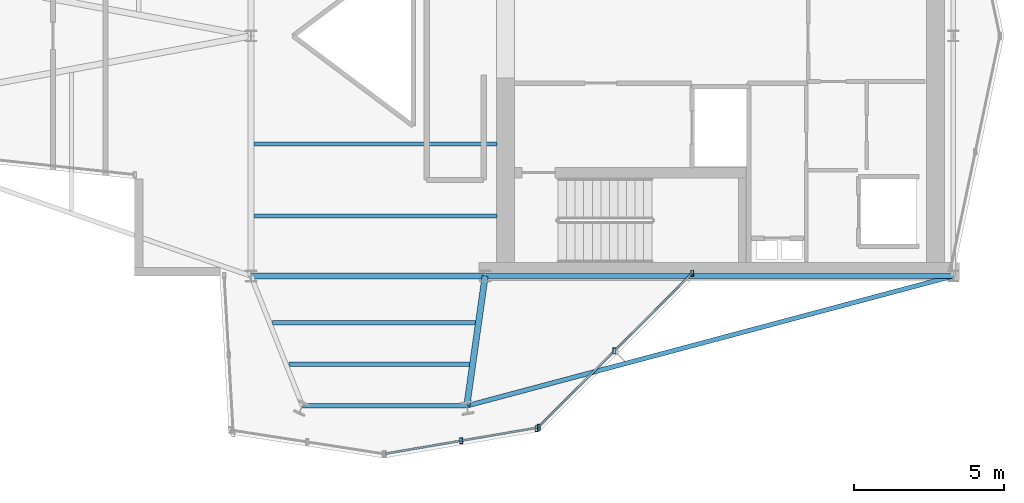
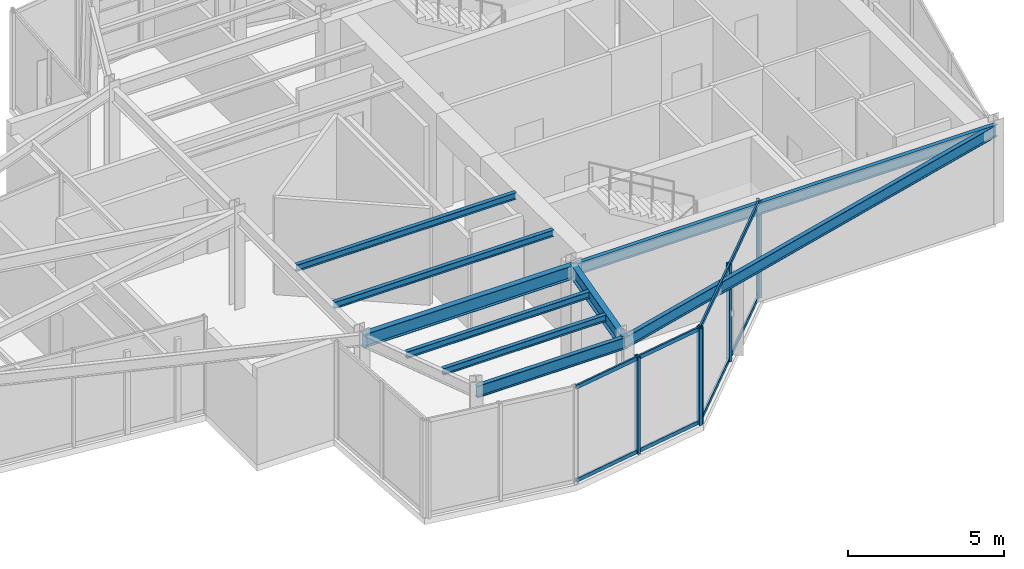
# One storey, part 3 of 13: 9 beams, 9 members, 2 elements without a shape of their own.
"""IFC4 building model written with IfcOpenShell, lengths in metres."""

from ifc_helpers import new_model, si_unit, direction, frame, origin, origin_2d, place, context, subcontext, project, spatial, hollow_rectangle, i_section, extrude, material, layer, layer_set, material_profile, profile_set, type_object, element, aggregate, save


model = new_model("IFC4")

# Units and contexts
model_context = context("Model", 3, precision=1e-05, world=origin(), true_north=direction((0.0, 1.0)))
body_context = subcontext(model_context, "Body", "Model", "MODEL_VIEW")
ifc_project = project(units=[si_unit("LENGTHUNIT", "METRE"), si_unit("AREAUNIT", "SQUARE_METRE"), si_unit("VOLUMEUNIT", "CUBIC_METRE"), si_unit("PLANEANGLEUNIT", "RADIAN"), si_unit("MASSUNIT", "GRAM", prefix="KILO")], contexts=[model_context])

# Site, building, storey
site_placement = place(None, origin())
site = spatial("IfcSite", under=ifc_project, at=site_placement, CompositionType="ELEMENT")
building_placement = place(site_placement, origin())
building = spatial("IfcBuilding", under=site, at=building_placement, Name="Veymaron Broadcast Tower", CompositionType="ELEMENT")
storey_placement = place(building_placement, frame((0.0, 0.0, 311.39990234375)))
storey = spatial("IfcBuildingStorey", under=building, at=storey_placement, Name="L73", CompositionType="ELEMENT", Elevation=311.39990234375)

# Beams
ifc_material_1 = material(Name="Structural steel ASTM A992 Gr 50", Category="steel")
ifc_material_profile_1 = material_profile(ifc_material_1, i_section(OverallWidth=0.208984375, OverallDepth=0.528076171875, WebThickness=0.009521484375, FlangeThickness=0.01318359375, at=origin_2d()), Name="W530X82")
ifc_profile_set_1 = profile_set([ifc_material_profile_1], Name="Structural steel ASTM A992 Gr 50")
beam_type_1 = type_object("IfcBeamType", Name="BM-FG4", PredefinedType="BEAM", material=ifc_profile_set_1)
beam_1_placement = place(storey_placement, frame((31.199951171875, 16.0, 3.51611328125), z_axis=(1.0, 0.0, 0.0), x_axis=(0.0, 1.0, 0.0)))
element("IfcBeam", 1, at=beam_1_placement, inside=storey, type_object=beam_type_1, Name="L73 primary structural floor girder", PredefinedType="BEAM", context=body_context, shape_type="SweptSolid", body=[
    extrude(i_section(OverallWidth=0.208984375, OverallDepth=0.528076171875, WebThickness=0.009521484375, FlangeThickness=0.01318359375, at=origin_2d()), origin(), (0.0, 0.0, 1.0), 7.800048828125),
])
beam_2_placement = place(storey_placement, frame((39.0, 16.0, 3.51611328125), z_axis=(-0.140029301726, -0.990147360072, 0.0), x_axis=(0.990147360072, -0.140029301726, 0.0)))
element("IfcBeam", 2, at=beam_2_placement, inside=storey, type_object=beam_type_1, Name="L73 primary structural floor girder", PredefinedType="BEAM", context=body_context, shape_type="SweptSolid", body=[
    extrude(i_section(OverallWidth=0.208984375, OverallDepth=0.528076171875, WebThickness=0.009521484375, FlangeThickness=0.01318359375, at=origin_2d()), origin(), (0.0, 0.0, 1.0), 4.370849609375),
])
ifc_material_profile_2 = material_profile(ifc_material_1, i_section(OverallWidth=0.14599609375, OverallDepth=0.258056640625, WebThickness=0.006103515625, FlangeThickness=0.009033203125, at=origin_2d()), Name="W250X33")
ifc_profile_set_2 = profile_set([ifc_material_profile_2], Name="Structural steel ASTM A992 Gr 50")
beam_type_2 = type_object("IfcBeamType", Name="BM-JS4", PredefinedType="JOIST", material=ifc_profile_set_2)
beam_3_placement = place(storey_placement, frame((31.9169921875, 14.44189453125, 3.651123046875), z_axis=(1.0, 0.0, 0.0), x_axis=(0.0, 1.0, 0.0)))
element("IfcBeam", 3, at=beam_3_placement, inside=storey, type_object=beam_type_2, Name="L73 Arm-C secondary joist 1", PredefinedType="JOIST", context=body_context, shape_type="SweptSolid", body=[
    extrude(i_section(OverallWidth=0.14599609375, OverallDepth=0.258056640625, WebThickness=0.006103515625, FlangeThickness=0.009033203125, at=origin_2d()), origin(), (0.0, 0.0, 1.0), 6.7626953125),
])
beam_4_placement = place(storey_placement, frame((32.465087890625, 13.056884765625, 3.651123046875), z_axis=(1.0, 0.0, 0.0), x_axis=(0.0, 1.0, 0.0)))
element("IfcBeam", 4, at=beam_4_placement, inside=storey, type_object=beam_type_2, Name="L73 Arm-C secondary joist 2", PredefinedType="JOIST", context=body_context, shape_type="SweptSolid", body=[
    extrude(i_section(OverallWidth=0.14599609375, OverallDepth=0.258056640625, WebThickness=0.006103515625, FlangeThickness=0.009033203125, at=origin_2d()), origin(), (0.0, 0.0, 1.0), 6.018798828125),
])
for number, where, z_axis, x_axis, name in (
    (5, (31.300048828125, 18.0, 3.651123046875), (1.0, 0.0, 0.0), (0.0, 1.0, 0.0), "L73 Hub secondary joist 1"),
    (6, (31.300048828125, 20.39990234375, 3.651123046875), (1.0, 0.0, 0.0), (0.0, 1.0, 0.0), "L73 Hub secondary joist 2"),
):
    element("IfcBeam", number, at=place(storey_placement, frame(where, z_axis=z_axis, x_axis=x_axis)), inside=storey, type_object=beam_type_2, Name=name, PredefinedType="JOIST", context=body_context, shape_type="SweptSolid", body=[
        extrude(i_section(OverallWidth=0.14599609375, OverallDepth=0.258056640625, WebThickness=0.006103515625, FlangeThickness=0.009033203125, at=origin_2d()), origin(), (0.0, 0.0, 1.0), 8.099853515625),
    ])
ifc_material_profile_3 = material_profile(ifc_material_1, i_section(OverallWidth=0.154052734375, OverallDepth=0.458984375, WebThickness=0.009033203125, FlangeThickness=0.015380859375, at=origin_2d()), Name="W460X68")
ifc_profile_set_3 = profile_set([ifc_material_profile_3], Name="Structural steel ASTM A992 Gr 50")
beam_type_3 = type_object("IfcBeamType", Name="BM-SP2", PredefinedType="SPANDREL", material=ifc_profile_set_3)
beam_5_placement = place(storey_placement, frame((39.0, 16.0, 3.550537109375), z_axis=(1.0, 0.0, 0.0), x_axis=(0.0, 1.0, 0.0)))
element("IfcBeam", 7, at=beam_5_placement, inside=storey, type_object=beam_type_3, Name="L73 primary structural floor girder", PredefinedType="SPANDREL", context=body_context, shape_type="SweptSolid", body=[
    extrude(i_section(OverallWidth=0.154052734375, OverallDepth=0.458984375, WebThickness=0.009033203125, FlangeThickness=0.015380859375, at=origin_2d()), origin(), (0.0, 0.0, 1.0), 15.60009765625),
])
beam_6_placement = place(storey_placement, frame((54.60009765625, 16.0, 3.550537109375), z_axis=(-0.966166081306, -0.257920730718, 0.0), x_axis=(0.257920730718, -0.966166081306, 0.0)))
element("IfcBeam", 8, at=beam_6_placement, inside=storey, type_object=beam_type_3, Name="L73 primary structural floor girder", PredefinedType="SPANDREL", context=body_context, shape_type="SweptSolid", body=[
    extrude(i_section(OverallWidth=0.154052734375, OverallDepth=0.458984375, WebThickness=0.009033203125, FlangeThickness=0.015380859375, at=origin_2d()), origin(), (0.0, 0.0, 1.0), 16.77978515625),
])
beam_7_placement = place(storey_placement, frame((32.91357421875, 11.672119140625, 3.550537109375), z_axis=(1.0, 0.0, 0.0), x_axis=(0.0, 1.0, 0.0)))
element("IfcBeam", 9, at=beam_7_placement, inside=storey, type_object=beam_type_3, Name="L73 primary structural floor girder", PredefinedType="SPANDREL", context=body_context, shape_type="SweptSolid", body=[
    extrude(i_section(OverallWidth=0.154052734375, OverallDepth=0.458984375, WebThickness=0.009033203125, FlangeThickness=0.015380859375, at=origin_2d()), origin(), (0.0, 0.0, 1.0), 5.474365234375),
])

# Curtain wall, members
ifc_material_2 = material(Name="Anodised aluminium AA 6063-T6 and laminated low-E dark glass", Category="aluminium")
ifc_layer = layer(ifc_material_2, 0.179931640625)
ifc_layer_set = layer_set([ifc_layer], Name="Anodised aluminium AA 6063-T6 and laminated low-E dark glass")
curtain_wall_type = type_object("IfcCurtainWallType", Name="CW-SYS-06", PredefinedType="NOTDEFINED", material=ifc_layer_set)
curtain_wall_1_placement = place(storey_placement, origin())
curtain_wall_1 = element("IfcCurtainWall", 10, at=curtain_wall_1_placement, inside=storey, type_object=curtain_wall_type, Name="L73 dark-glass curtain wall CW-L73-E19-1", PredefinedType="NOTDEFINED")
ifc_material_3 = material(Name="Anodised aluminium AA 6063-T6", Category="aluminium")
ifc_material_profile_4 = material_profile(ifc_material_3, hollow_rectangle(XDim=0.10009765625, YDim=0.199951171875, WallThickness=0.010009765625, at=origin_2d()), Name="RHS200X100X10")
ifc_profile_set_4 = profile_set([ifc_material_profile_4], Name="Anodised aluminium AA 6063-T6")
member_type_1 = type_object("IfcMemberType", Name="CW-MUL-01", PredefinedType="MULLION", material=ifc_profile_set_4)
member_1_placement = place(storey_placement, frame((38.199951171875, 10.510986328125, 0.0), z_axis=(0.0, 0.0, 1.0), x_axis=(1.0, 0.0, 0.0)))
member_1 = element("IfcMember", 11, at=member_1_placement, type_object=member_type_1, Name="CW-L73-E19-1 mullion 1", PredefinedType="MULLION", context=body_context, shape_type="SweptSolid", body=[
    extrude(hollow_rectangle(XDim=0.10009765625, YDim=0.199951171875, WallThickness=0.010009765625, at=origin_2d()), origin(), (0.0, 0.0, 1.0), 3.780029296875),
])
member_2_placement = place(storey_placement, frame((40.78662109375, 10.953125, 0.0), z_axis=(0.0, 0.0, 1.0), x_axis=(1.0, 0.0, 0.0)))
member_2 = element("IfcMember", 12, at=member_2_placement, type_object=member_type_1, Name="CW-L73-E19-1 mullion 2", PredefinedType="MULLION", context=body_context, shape_type="SweptSolid", body=[
    extrude(hollow_rectangle(XDim=0.10009765625, YDim=0.199951171875, WallThickness=0.010009765625, at=origin_2d()), origin(), (0.0, 0.0, 1.0), 3.780029296875),
])

curtain_wall_2_placement = place(storey_placement, origin())
curtain_wall_2 = element("IfcCurtainWall", 13, at=curtain_wall_2_placement, inside=storey, type_object=curtain_wall_type, Name="L73 dark-glass curtain wall CW-L73-E20-1", PredefinedType="NOTDEFINED")
member_3_placement = place(storey_placement, frame((40.711181640625, 10.914306640625, 0.0), z_axis=(0.0, 0.0, 1.0), x_axis=(1.0, 0.0, 0.0)))
member_3 = element("IfcMember", 14, at=member_3_placement, type_object=member_type_1, Name="CW-L73-E20-1 mullion 0", PredefinedType="MULLION", context=body_context, shape_type="SweptSolid", body=[
    extrude(hollow_rectangle(XDim=0.10009765625, YDim=0.199951171875, WallThickness=0.010009765625, at=origin_2d()), origin(), (0.0, 0.0, 1.0), 3.780029296875),
])
member_4_placement = place(storey_placement, frame((43.3056640625, 13.506591796875, 0.0), z_axis=(0.0, 0.0, 1.0), x_axis=(1.0, 0.0, 0.0)))
member_4 = element("IfcMember", 15, at=member_4_placement, type_object=member_type_1, Name="CW-L73-E20-1 mullion 1", PredefinedType="MULLION", context=body_context, shape_type="SweptSolid", body=[
    extrude(hollow_rectangle(XDim=0.10009765625, YDim=0.199951171875, WallThickness=0.010009765625, at=origin_2d()), origin(), (0.0, 0.0, 1.0), 3.780029296875),
])
member_5_placement = place(storey_placement, frame((45.900390625, 16.09912109375, 0.0), z_axis=(0.0, 0.0, 1.0), x_axis=(1.0, 0.0, 0.0)))
member_5 = element("IfcMember", 16, at=member_5_placement, type_object=member_type_1, Name="CW-L73-E20-1 mullion 2", PredefinedType="MULLION", context=body_context, shape_type="SweptSolid", body=[
    extrude(hollow_rectangle(XDim=0.10009765625, YDim=0.199951171875, WallThickness=0.010009765625, at=origin_2d()), origin(), (0.0, 0.0, 1.0), 3.780029296875),
])

# Member
ifc_material_profile_5 = material_profile(ifc_material_3, hollow_rectangle(XDim=0.06494140625, YDim=0.14990234375, WallThickness=0.00390625, at=origin_2d()), Name="AL150X65X4")
ifc_profile_set_5 = profile_set([ifc_material_profile_5], Name="Anodised aluminium AA 6063-T6")
member_type_2 = type_object("IfcMemberType", Name="CW-TRN-01", PredefinedType="USERDEFINED", material=ifc_profile_set_5)
member_6_placement = place(storey_placement, frame((35.662841796875, 10.0771484375, 0.070068359375), z_axis=(0.98569437166, 0.168542593066, 0.0), x_axis=(-0.168542593066, 0.98569437166, 0.0)))
member_6 = element("IfcMember", 17, at=member_6_placement, type_object=member_type_2, Name="CW-L73-E19-1 transom B", ObjectType="TRANSOM", PredefinedType="USERDEFINED", context=body_context, shape_type="SweptSolid", body=[
    extrude(hollow_rectangle(XDim=0.06494140625, YDim=0.14990234375, WallThickness=0.00390625, at=origin_2d()), origin(), (0.0, 0.0, 1.0), 5.148193359375),
])

member_7_placement = place(storey_placement, frame((35.662841796875, 10.0771484375, 3.710205078125), z_axis=(0.98569437166, 0.168542593066, 0.0), x_axis=(-0.168542593066, 0.98569437166, 0.0)))
member_7 = element("IfcMember", 18, at=member_7_placement, type_object=member_type_2, Name="CW-L73-E19-1 transom T", ObjectType="TRANSOM", PredefinedType="USERDEFINED", context=body_context, shape_type="SweptSolid", body=[
    extrude(hollow_rectangle(XDim=0.06494140625, YDim=0.14990234375, WallThickness=0.00390625, at=origin_2d()), origin(), (0.0, 0.0, 1.0), 5.148193359375),
])

aggregate(curtain_wall_1, [member_1, member_2, member_6, member_7])

member_8_placement = place(storey_placement, frame((40.74658203125, 10.949462890625, 0.070068359375), z_axis=(0.70739352698, 0.706819919064, 0.0), x_axis=(-0.706819919064, 0.70739352698, 0.0)))
member_8 = element("IfcMember", 19, at=member_8_placement, type_object=member_type_2, Name="CW-L73-E20-1 transom B", ObjectType="TRANSOM", PredefinedType="USERDEFINED", context=body_context, shape_type="SweptSolid", body=[
    extrude(hollow_rectangle(XDim=0.06494140625, YDim=0.14990234375, WallThickness=0.00390625, at=origin_2d()), origin(), (0.0, 0.0, 1.0), 7.235595703125),
])

member_9_placement = place(storey_placement, frame((40.74658203125, 10.949462890625, 3.710205078125), z_axis=(0.70739352698, 0.706819919064, 0.0), x_axis=(-0.706819919064, 0.70739352698, 0.0)))
member_9 = element("IfcMember", 20, at=member_9_placement, type_object=member_type_2, Name="CW-L73-E20-1 transom T", ObjectType="TRANSOM", PredefinedType="USERDEFINED", context=body_context, shape_type="SweptSolid", body=[
    extrude(hollow_rectangle(XDim=0.06494140625, YDim=0.14990234375, WallThickness=0.00390625, at=origin_2d()), origin(), (0.0, 0.0, 1.0), 7.235595703125),
])

aggregate(curtain_wall_2, [member_3, member_4, member_5, member_8, member_9])

save(model, "model.ifc")
